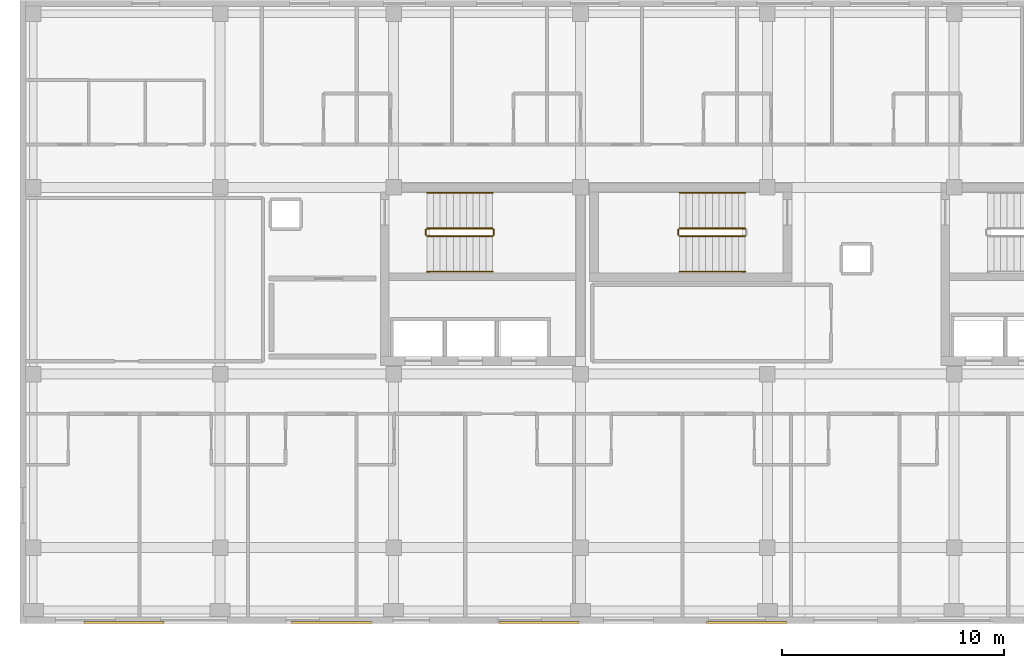
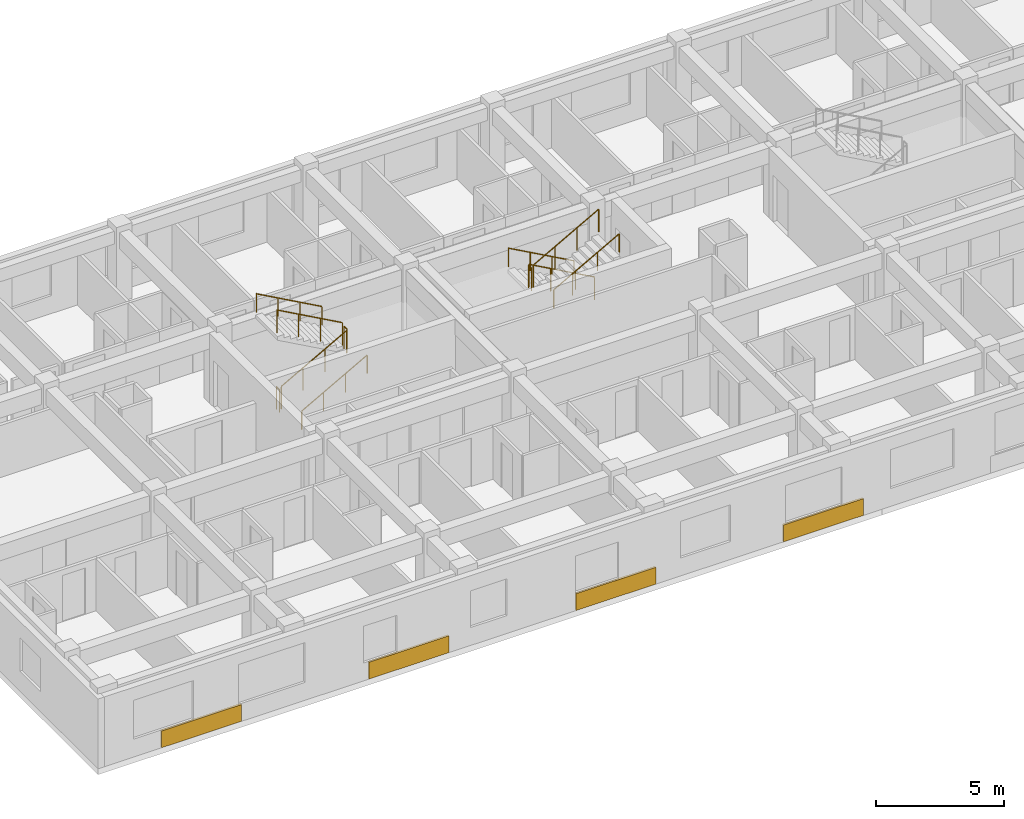
# One storey, part 142 of 144: 11 railings, 4 coverings.
"""IFC4 building model written with IfcOpenShell, lengths in metres."""

from ifc_helpers import new_model, si_unit, direction, frame, origin, origin_2d, place, context, subcontext, project, spatial, rectangle, circle, extrude, material, layer, layer_set, type_object, element, save


model = new_model("IFC4")

# Units and contexts
model_context = context("Model", 3, precision=1e-05, world=origin(), true_north=direction((0.0, 1.0)))
body_context = subcontext(model_context, "Body", "Model", "MODEL_VIEW")
ifc_project = project(units=[si_unit("LENGTHUNIT", "METRE"), si_unit("AREAUNIT", "SQUARE_METRE"), si_unit("VOLUMEUNIT", "CUBIC_METRE"), si_unit("PLANEANGLEUNIT", "RADIAN"), si_unit("MASSUNIT", "GRAM", prefix="KILO")], contexts=[model_context])

# Site, building, storey
site_placement = place(None, origin())
site = spatial("IfcSite", under=ifc_project, at=site_placement, CompositionType="ELEMENT")
building_placement = place(site_placement, origin())
building = spatial("IfcBuilding", under=site, at=building_placement, Name="Zayran Congress Hotel", CompositionType="ELEMENT")
storey_placement = place(building_placement, frame((0.0, 0.0, 19.199951171875)))
storey = spatial("IfcBuildingStorey", under=building, at=storey_placement, Name="L04", CompositionType="ELEMENT", Elevation=19.199951171875)

# Coverings
ifc_material_1 = material(Name="Ochre geometric bas-relief Hajar Ma'ani stone", Category="masonry")
ifc_layer = layer(ifc_material_1, 0.090087890625)
ifc_layer_set = layer_set([ifc_layer], Name="Ochre geometric bas-relief Hajar Ma'ani stone")
covering_type = type_object("IfcCoveringType", Name="TP-CLD-01", PredefinedType="CLADDING", material=ifc_layer_set)
for number, where, z_axis, x_axis, name in (
    (1, (13.06689453125, 6.044921875, 0.0), (0.0, 0.0, 1.0), (1.0, 0.0, 0.0), "CLD-V5S-L04-0"),
    (2, (22.39990234375, 6.044921875, 0.0), (0.0, 0.0, 1.0), (1.0, 0.0, 0.0), "CLD-V5S-L04-1"),
    (3, (31.73291015625, 6.044921875, 0.0), (0.0, 0.0, 1.0), (1.0, 0.0, 0.0), "CLD-V5S-L04-2"),
    (4, (41.06689453125, 6.044921875, 0.0), (0.0, 0.0, 1.0), (1.0, 0.0, 0.0), "CLD-V5S-L04-3"),
):
    element("IfcCovering", number, at=place(storey_placement, frame(where, z_axis=z_axis, x_axis=x_axis)), inside=storey, type_object=covering_type, Name=name, PredefinedType="CLADDING", context=body_context, shape_type="SweptSolid", body=[
        extrude(rectangle(XDim=3.60009765625, YDim=0.090087890625, at=origin_2d()), origin(), (0.0, 0.0, 1.0), 0.800048828125),
    ])

# Railings
ifc_material_2 = material(Name="Painted steel balustrade", Category="steel")
railing_type_1 = type_object("IfcRailingType", Name="TP-GRD-INT", PredefinedType="GUARDRAIL", material=ifc_material_2)
railing_1_placement = place(storey_placement, frame((26.699951171875, 23.409912109375, 0.16357421875)))
element("IfcRailing", 5, at=railing_1_placement, inside=storey, type_object=railing_type_1, Name="L04 ST-01 stair guard 1", PredefinedType="GUARDRAIL", context=body_context, shape_type="SweptSolid", body=[
    extrude(circle(Radius=0.02392578125, at=origin_2d()), frame((0.0, 0.0, 1.076171875), z_axis=(0.874457516365, 0.0, 0.485102104791), x_axis=(0.0, 1.0, 0.0)), (0.0, 0.0, 1.0), 3.37353515625),
    extrude(circle(Radius=0.02099609375, at=origin_2d()), origin(), (0.0, 0.0, 1.0), 1.052001953125),
    extrude(circle(Radius=0.02099609375, at=origin_2d()), frame((0.9833984375, 0.0, 0.54541015625)), (0.0, 0.0, 1.0), 1.052001953125),
    extrude(circle(Radius=0.02099609375, at=origin_2d()), frame((1.966552734375, 0.0, 1.091064453125)), (0.0, 0.0, 1.0), 1.052001953125),
    extrude(circle(Radius=0.02099609375, at=origin_2d()), frame((2.949951171875, 0.0, 1.636474609375)), (0.0, 0.0, 1.0), 1.052001953125),
])
railing_2_placement = place(storey_placement, frame((29.699951171875, 23.4599609375, 1.800048828125)))
element("IfcRailing", 6, at=railing_2_placement, inside=storey, type_object=railing_type_1, Name="L04 ST-01 stair guard 2", PredefinedType="GUARDRAIL", context=body_context, shape_type="SweptSolid", body=[
    extrude(circle(Radius=0.02392578125, at=origin_2d()), frame((0.0, 0.0, 1.076171875), z_axis=(0.0, 1.0, 0.0), x_axis=(-1.0, 0.0, 0.0)), (0.0, 0.0, 1.0), 0.239990234375),
    extrude(circle(Radius=0.02099609375, at=origin_2d()), origin(), (0.0, 0.0, 1.0), 1.052001953125),
    extrude(circle(Radius=0.02099609375, at=origin_2d()), frame((0.0, 0.239990234375, 0.0)), (0.0, 0.0, 1.0), 1.052001953125),
])
railing_3_placement = place(storey_placement, frame((29.64990234375, 23.75, 1.963623046875)))
element("IfcRailing", 7, at=railing_3_placement, inside=storey, type_object=railing_type_1, Name="L04 ST-01 stair guard 3", PredefinedType="GUARDRAIL", context=body_context, shape_type="SweptSolid", body=[
    extrude(circle(Radius=0.02392578125, at=origin_2d()), frame((0.0, 0.0, 1.076171875), z_axis=(-0.874457516365, 0.0, 0.485102104791), x_axis=(0.0, -1.0, 0.0)), (0.0, 0.0, 1.0), 3.37353515625),
    extrude(circle(Radius=0.02099609375, at=origin_2d()), origin(), (0.0, 0.0, 1.0), 1.052001953125),
    extrude(circle(Radius=0.02099609375, at=origin_2d()), frame((-0.9833984375, 0.0, 0.54541015625)), (0.0, 0.0, 1.0), 1.052001953125),
    extrude(circle(Radius=0.02099609375, at=origin_2d()), frame((-1.966552734375, 0.0, 1.091064453125)), (0.0, 0.0, 1.0), 1.052001953125),
    extrude(circle(Radius=0.02099609375, at=origin_2d()), frame((-2.949951171875, 0.0, 1.636474609375)), (0.0, 0.0, 1.0), 1.052001953125),
])
railing_4_placement = place(storey_placement, frame((26.64990234375, 23.4599609375, 0.0)))
element("IfcRailing", 8, at=railing_4_placement, inside=storey, type_object=railing_type_1, Name="L04 ST-01 stair guard 4", PredefinedType="GUARDRAIL", context=body_context, shape_type="SweptSolid", body=[
    extrude(circle(Radius=0.02392578125, at=origin_2d()), frame((0.0, 0.0, 1.076171875), z_axis=(0.0, 1.0, 0.0), x_axis=(-1.0, 0.0, 0.0)), (0.0, 0.0, 1.0), 0.239990234375),
    extrude(circle(Radius=0.02099609375, at=origin_2d()), origin(), (0.0, 0.0, 1.0), 1.052001953125),
    extrude(circle(Radius=0.02099609375, at=origin_2d()), frame((0.0, 0.239990234375, 0.0)), (0.0, 0.0, 1.0), 1.052001953125),
])
railing_5_placement = place(storey_placement, frame((41.0, 23.75, 0.16357421875)))
element("IfcRailing", 9, at=railing_5_placement, inside=storey, type_object=railing_type_1, Name="L04 ST-13 stair guard 1", PredefinedType="GUARDRAIL", context=body_context, shape_type="SweptSolid", body=[
    extrude(circle(Radius=0.02392578125, at=origin_2d()), frame((0.0, 0.0, 1.076171875), z_axis=(-0.874457516365, 0.0, 0.485102104791), x_axis=(0.0, -1.0, 0.0)), (0.0, 0.0, 1.0), 3.37353515625),
    extrude(circle(Radius=0.02099609375, at=origin_2d()), origin(), (0.0, 0.0, 1.0), 1.052001953125),
    extrude(circle(Radius=0.02099609375, at=origin_2d()), frame((-0.9833984375, 0.0, 0.54541015625)), (0.0, 0.0, 1.0), 1.052001953125),
    extrude(circle(Radius=0.02099609375, at=origin_2d()), frame((-1.966552734375, 0.0, 1.091064453125)), (0.0, 0.0, 1.0), 1.052001953125),
    extrude(circle(Radius=0.02099609375, at=origin_2d()), frame((-2.949951171875, 0.0, 1.636474609375)), (0.0, 0.0, 1.0), 1.052001953125),
])
railing_6_placement = place(storey_placement, frame((38.0, 23.699951171875, 1.800048828125)))
element("IfcRailing", 10, at=railing_6_placement, inside=storey, type_object=railing_type_1, Name="L04 ST-13 stair guard 2", PredefinedType="GUARDRAIL", context=body_context, shape_type="SweptSolid", body=[
    extrude(circle(Radius=0.02392578125, at=origin_2d()), frame((0.0, 0.0, 1.076171875), z_axis=(0.0, -1.0, 0.0), x_axis=(1.0, 0.0, 0.0)), (0.0, 0.0, 1.0), 0.239990234375),
    extrude(circle(Radius=0.02099609375, at=origin_2d()), origin(), (0.0, 0.0, 1.0), 1.052001953125),
    extrude(circle(Radius=0.02099609375, at=origin_2d()), frame((0.0, -0.239990234375, 0.0)), (0.0, 0.0, 1.0), 1.052001953125),
])
railing_7_placement = place(storey_placement, frame((38.050048828125, 23.409912109375, 1.963623046875)))
element("IfcRailing", 11, at=railing_7_placement, inside=storey, type_object=railing_type_1, Name="L04 ST-13 stair guard 3", PredefinedType="GUARDRAIL", context=body_context, shape_type="SweptSolid", body=[
    extrude(circle(Radius=0.02392578125, at=origin_2d()), frame((0.0, 0.0, 1.076171875), z_axis=(0.874457516365, 0.0, 0.485102104791), x_axis=(0.0, 1.0, 0.0)), (0.0, 0.0, 1.0), 3.37353515625),
    extrude(circle(Radius=0.02099609375, at=origin_2d()), origin(), (0.0, 0.0, 1.0), 1.052001953125),
    extrude(circle(Radius=0.02099609375, at=origin_2d()), frame((0.9833984375, 0.0, 0.54541015625)), (0.0, 0.0, 1.0), 1.052001953125),
    extrude(circle(Radius=0.02099609375, at=origin_2d()), frame((1.966552734375, 0.0, 1.091064453125)), (0.0, 0.0, 1.0), 1.052001953125),
    extrude(circle(Radius=0.02099609375, at=origin_2d()), frame((2.949951171875, 0.0, 1.636474609375)), (0.0, 0.0, 1.0), 1.052001953125),
])
ifc_material_3 = material(Name="Brushed stainless steel handrail", Category="steel")
railing_type_2 = type_object("IfcRailingType", Name="TP-HND-STR", PredefinedType="HANDRAIL", material=ifc_material_3)
railing_8_placement = place(storey_placement, frame((26.699951171875, 21.81005859375, 0.16357421875)))
element("IfcRailing", 12, at=railing_8_placement, inside=storey, type_object=railing_type_2, Name="L04 ST-01 stair handrail 1", PredefinedType="HANDRAIL", context=body_context, shape_type="SweptSolid", body=[
    extrude(circle(Radius=0.02392578125, at=origin_2d()), frame((0.0, 0.0, 0.8759765625), z_axis=(0.874457516365, 0.0, 0.485102104791), x_axis=(0.0, 1.0, 0.0)), (0.0, 0.0, 1.0), 3.37353515625),
    extrude(circle(Radius=0.02099609375, at=origin_2d()), origin(), (0.0, 0.0, 1.0), 0.851806640625),
    extrude(circle(Radius=0.02099609375, at=origin_2d()), frame((0.9833984375, 0.0, 0.54541015625)), (0.0, 0.0, 1.0), 0.851806640625),
    extrude(circle(Radius=0.02099609375, at=origin_2d()), frame((1.966552734375, 0.0, 1.091064453125)), (0.0, 0.0, 1.0), 0.851806640625),
    extrude(circle(Radius=0.02099609375, at=origin_2d()), frame((2.949951171875, 0.0, 1.636474609375)), (0.0, 0.0, 1.0), 0.851806640625),
])
for number, where, name in (
    (13, (29.64990234375, 25.35009765625, 1.963623046875), "L04 ST-01 stair handrail 2"),
    (14, (41.0, 25.35009765625, 0.16357421875), "L04 ST-13 stair handrail 1"),
):
    element("IfcRailing", number, at=place(storey_placement, frame(where)), inside=storey, type_object=railing_type_2, Name=name, PredefinedType="HANDRAIL", context=body_context, shape_type="SweptSolid", body=[
        extrude(circle(Radius=0.02392578125, at=origin_2d()), frame((0.0, 0.0, 0.8759765625), z_axis=(-0.874457516365, 0.0, 0.485102104791), x_axis=(0.0, -1.0, 0.0)), (0.0, 0.0, 1.0), 3.37353515625),
        extrude(circle(Radius=0.02099609375, at=origin_2d()), origin(), (0.0, 0.0, 1.0), 0.851806640625),
        extrude(circle(Radius=0.02099609375, at=origin_2d()), frame((-0.9833984375, 0.0, 0.54541015625)), (0.0, 0.0, 1.0), 0.851806640625),
        extrude(circle(Radius=0.02099609375, at=origin_2d()), frame((-1.966552734375, 0.0, 1.091064453125)), (0.0, 0.0, 1.0), 0.851806640625),
        extrude(circle(Radius=0.02099609375, at=origin_2d()), frame((-2.949951171875, 0.0, 1.636474609375)), (0.0, 0.0, 1.0), 0.851806640625),
    ])
railing_9_placement = place(storey_placement, frame((38.050048828125, 21.81005859375, 1.963623046875)))
element("IfcRailing", 15, at=railing_9_placement, inside=storey, type_object=railing_type_2, Name="L04 ST-13 stair handrail 2", PredefinedType="HANDRAIL", context=body_context, shape_type="SweptSolid", body=[
    extrude(circle(Radius=0.02392578125, at=origin_2d()), frame((0.0, 0.0, 0.8759765625), z_axis=(0.874457516365, 0.0, 0.485102104791), x_axis=(0.0, 1.0, 0.0)), (0.0, 0.0, 1.0), 3.37353515625),
    extrude(circle(Radius=0.02099609375, at=origin_2d()), origin(), (0.0, 0.0, 1.0), 0.851806640625),
    extrude(circle(Radius=0.02099609375, at=origin_2d()), frame((0.9833984375, 0.0, 0.54541015625)), (0.0, 0.0, 1.0), 0.851806640625),
    extrude(circle(Radius=0.02099609375, at=origin_2d()), frame((1.966552734375, 0.0, 1.091064453125)), (0.0, 0.0, 1.0), 0.851806640625),
    extrude(circle(Radius=0.02099609375, at=origin_2d()), frame((2.949951171875, 0.0, 1.636474609375)), (0.0, 0.0, 1.0), 0.851806640625),
])

save(model, "model.ifc")
